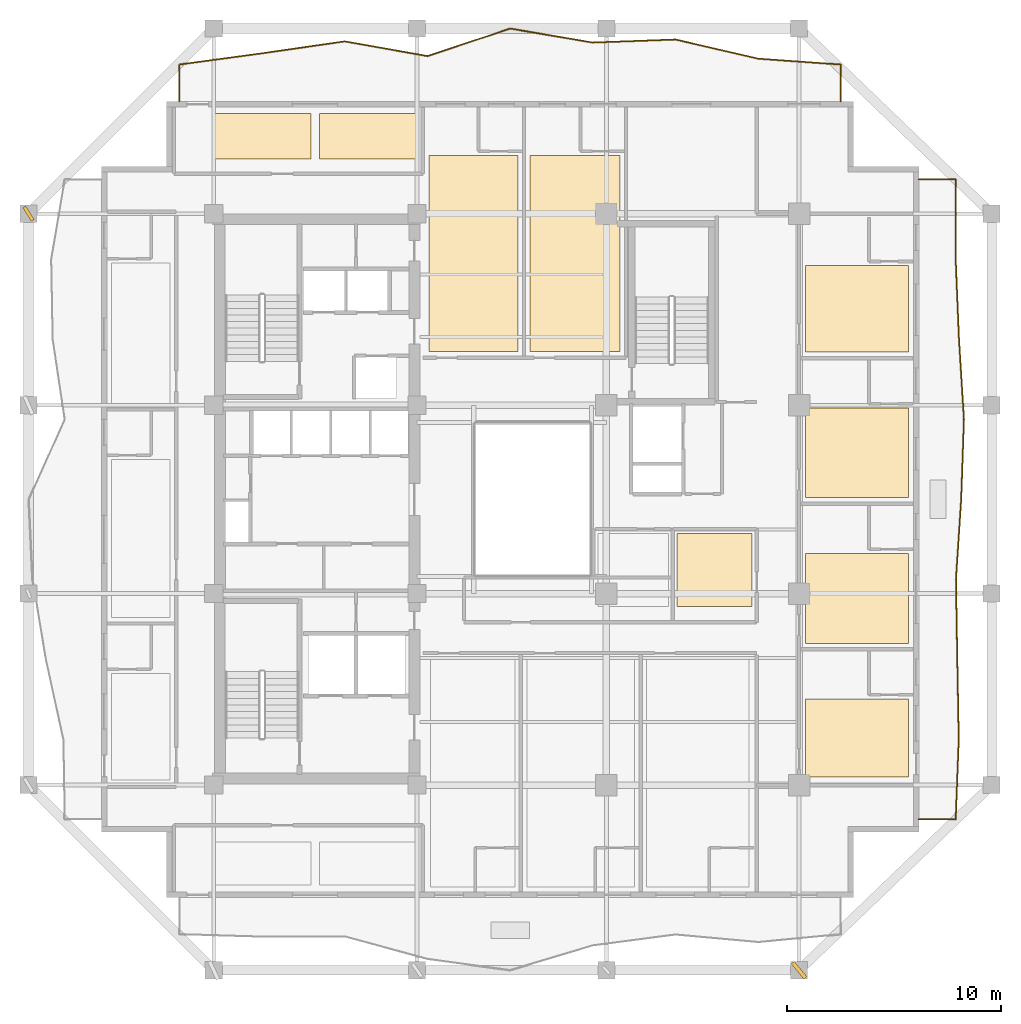
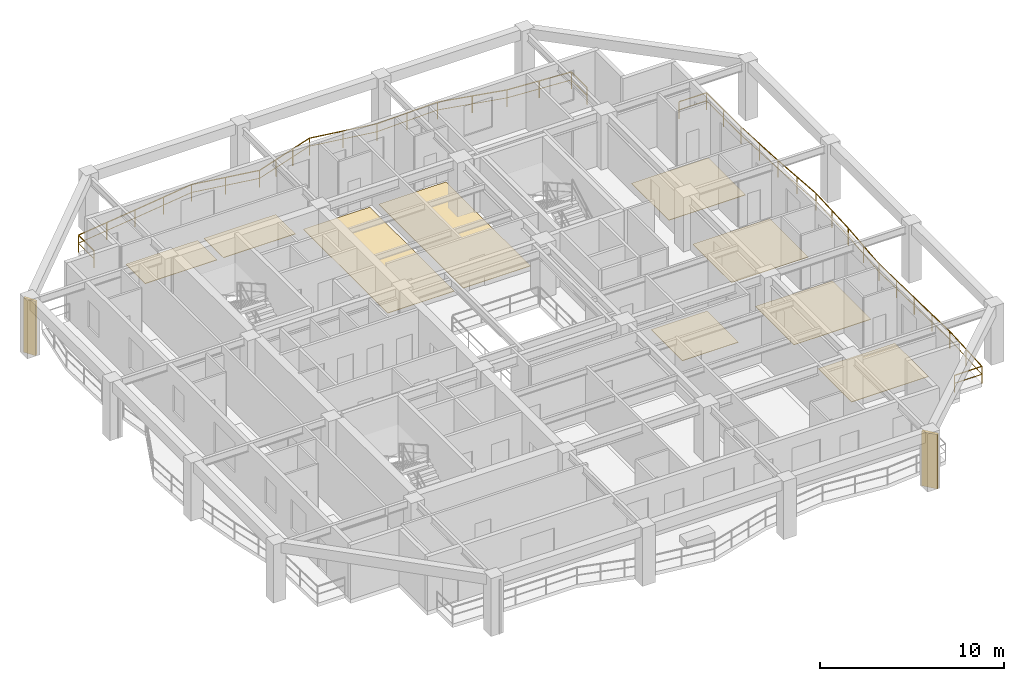
# One storey, part 10 of 11: 9 coverings, 2 railings, 2 shading devices.
"""IFC4 building model written with IfcOpenShell, lengths in metres."""

from ifc_helpers import new_model, si_unit, direction, frame, origin, origin_2d, place, context, subcontext, project, spatial, polyline, rectangle, outline, extrude, material, layer, layer_set, type_object, element, save


model = new_model("IFC4")

# Units and contexts
model_context = context("Model", 3, precision=1e-05, world=origin(), true_north=direction((0.0, 1.0)))
body_context = subcontext(model_context, "Body", "Model", "MODEL_VIEW")
ifc_project = project(units=[si_unit("LENGTHUNIT", "METRE"), si_unit("AREAUNIT", "SQUARE_METRE"), si_unit("VOLUMEUNIT", "CUBIC_METRE"), si_unit("PLANEANGLEUNIT", "RADIAN"), si_unit("MASSUNIT", "GRAM", prefix="KILO")], contexts=[model_context])

# Site, building, storey
site_placement = place(None, origin())
site = spatial("IfcSite", under=ifc_project, at=site_placement, CompositionType="ELEMENT")
building_placement = place(site_placement, origin())
building = spatial("IfcBuilding", under=site, at=building_placement, Name="Kundavana Baori Tower", CompositionType="ELEMENT")
storey_placement = place(building_placement, frame((0.0, 0.0, 130.949951171875)))
storey = spatial("IfcBuildingStorey", under=building, at=storey_placement, Name="L31", CompositionType="ELEMENT", Elevation=130.949951171875)

# Coverings
ifc_material_1 = material(Name="Honed Kota Stone and Terrazzo Flooring", Category="masonry")
ifc_layer = layer(ifc_material_1, 0.030029296875, Name="COV-INT-FLR")
ifc_layer_set = layer_set([ifc_layer], Name="Honed Kota Stone and Terrazzo Flooring")
covering_type = type_object("IfcCoveringType", Name="COV-INT-FLR", PredefinedType="FLOORING", material=ifc_layer_set)
covering_1_placement = place(storey_placement, origin())
element("IfcCovering", 1, at=covering_1_placement, inside=storey, type_object=covering_type, Name="L31 Room Finished Stone Flooring 7", PredefinedType="FLOORING", context=body_context, shape_type="SweptSolid", body=[
    extrude(outline(polyline([(43.10009765625, 15.6298828125), (47.919921875, 15.6298828125), (47.919921875, 19.27001953125), (43.10009765625, 19.27001953125), (43.10009765625, 15.6298828125)])), origin(), (0.0, 0.0, 1.0), 0.030029296875),
])
covering_2_placement = place(storey_placement, origin())
element("IfcCovering", 2, at=covering_2_placement, inside=storey, type_object=covering_type, Name="L31 Room Finished Stone Flooring 8", PredefinedType="FLOORING", context=body_context, shape_type="SweptSolid", body=[
    extrude(outline(polyline([(43.10009765625, 21.8798828125), (47.919921875, 21.8798828125), (47.919921875, 26.070068359375), (43.10009765625, 26.070068359375), (43.10009765625, 21.8798828125)])), origin(), (0.0, 0.0, 1.0), 0.030029296875),
])
covering_3_placement = place(storey_placement, origin())
element("IfcCovering", 3, at=covering_3_placement, inside=storey, type_object=covering_type, Name="L31 Room Finished Stone Flooring 9", PredefinedType="FLOORING", context=body_context, shape_type="SweptSolid", body=[
    extrude(outline(polyline([(43.10009765625, 28.679931640625), (47.919921875, 28.679931640625), (47.919921875, 32.8701171875), (43.10009765625, 32.8701171875), (43.10009765625, 28.679931640625)])), origin(), (0.0, 0.0, 1.0), 0.030029296875),
])
covering_4_placement = place(storey_placement, origin())
element("IfcCovering", 4, at=covering_4_placement, inside=storey, type_object=covering_type, Name="L31 Room Finished Stone Flooring 10", PredefinedType="FLOORING", context=body_context, shape_type="SweptSolid", body=[
    extrude(outline(polyline([(43.10009765625, 35.47998046875), (47.919921875, 35.47998046875), (47.919921875, 39.52001953125), (43.10009765625, 39.52001953125), (43.10009765625, 35.47998046875)])), origin(), (0.0, 0.0, 1.0), 0.030029296875),
])
covering_5_placement = place(storey_placement, origin())
element("IfcCovering", 5, at=covering_5_placement, inside=storey, type_object=covering_type, Name="L31 Room Finished Stone Flooring 11", PredefinedType="FLOORING", context=body_context, shape_type="SweptSolid", body=[
    extrude(outline(polyline([(25.5, 35.5), (29.669921875, 35.5), (29.669921875, 44.669921875), (25.5, 44.669921875), (25.5, 35.5)])), origin(), (0.0, 0.0, 1.0), 0.030029296875),
])
covering_6_placement = place(storey_placement, origin())
element("IfcCovering", 6, at=covering_6_placement, inside=storey, type_object=covering_type, Name="L31 Room Finished Stone Flooring 12", PredefinedType="FLOORING", context=body_context, shape_type="SweptSolid", body=[
    extrude(outline(polyline([(30.22998046875, 35.5), (34.43994140625, 35.5), (34.43994140625, 44.669921875), (30.22998046875, 44.669921875), (30.22998046875, 35.5)])), origin(), (0.0, 0.0, 1.0), 0.030029296875),
])
covering_7_placement = place(storey_placement, origin())
element("IfcCovering", 7, at=covering_7_placement, inside=storey, type_object=covering_type, Name="L31 Room Finished Stone Flooring 15", PredefinedType="FLOORING", context=body_context, shape_type="SweptSolid", body=[
    extrude(outline(polyline([(15.5, 44.5), (20.0, 44.5), (20.0, 46.6201171875), (15.5, 46.6201171875), (15.5, 44.5)])), origin(), (0.0, 0.0, 1.0), 0.030029296875),
])
covering_8_placement = place(storey_placement, origin())
element("IfcCovering", 8, at=covering_8_placement, inside=storey, type_object=covering_type, Name="L31 Room Finished Stone Flooring 16", PredefinedType="FLOORING", context=body_context, shape_type="SweptSolid", body=[
    extrude(outline(polyline([(20.39990234375, 44.5), (24.89990234375, 44.5), (24.89990234375, 46.6201171875), (20.39990234375, 46.6201171875), (20.39990234375, 44.5)])), origin(), (0.0, 0.0, 1.0), 0.030029296875),
])
covering_9_placement = place(storey_placement, origin())
element("IfcCovering", 9, at=covering_9_placement, inside=storey, type_object=covering_type, Name="L31 Room Finished Stone Flooring 18", PredefinedType="FLOORING", context=body_context, shape_type="SweptSolid", body=[
    extrude(outline(polyline([(37.10009765625, 23.60009765625), (40.60009765625, 23.60009765625), (40.60009765625, 27.0), (37.10009765625, 27.0), (37.10009765625, 23.60009765625)])), origin(), (0.0, 0.0, 1.0), 0.030029296875),
])

# Railings
ifc_material_2 = material(Name="Architectural Patinated Bronze Metalwork")
railing_type = type_object("IfcRailingType", Name="RL-BAL-1150", PredefinedType="BALUSTRADE", material=ifc_material_2)
railing_1_placement = place(storey_placement, frame((48.39990234375, 43.550048828125, 0.0)))
element("IfcRailing", 10, at=railing_1_placement, inside=storey, type_object=railing_type, Name="L31 Loggia Balcony Balustrade E", PredefinedType="BALUSTRADE", context=body_context, shape_type="SweptSolid", body=[
    extrude(rectangle(XDim=0.048095703125, YDim=0.048095703125, at=origin_2d()), frame((0.0, 0.0, 1.1259765625), z_axis=(1.0, 0.0, 0.0), x_axis=(0.0, 1.0, 0.0)), (0.0, 0.0, 1.0), 1.72021484375),
    extrude(rectangle(XDim=0.03125, YDim=0.03125, at=origin_2d()), frame((0.0, 0.0, 0.597900390625), z_axis=(1.0, 0.0, 0.0), x_axis=(0.0, 1.0, 0.0)), (0.0, 0.0, 1.0), 1.72021484375),
    extrude(rectangle(XDim=0.048095703125, YDim=0.048095703125, at=origin_2d()), frame((1.72021484375, 0.0, 1.1259765625), z_axis=(0.000261250073, -0.999999965874, 0.0), x_axis=(0.999999965874, 0.000261250073, 0.0)), (0.0, 0.0, 1.0), 3.738037109375),
    extrude(rectangle(XDim=0.03125, YDim=0.03125, at=origin_2d()), frame((1.72021484375, 0.0, 0.597900390625), z_axis=(0.000261250073, -0.999999965874, 0.0), x_axis=(0.999999965874, 0.000261250073, 0.0)), (0.0, 0.0, 1.0), 3.738037109375),
    extrude(rectangle(XDim=0.048095703125, YDim=0.048095703125, at=origin_2d()), frame((1.72119140625, -3.738037109375, 1.1259765625), z_axis=(0.041383476557, -0.999143336998, 0.0), x_axis=(0.999143336998, 0.041383476557, 0.0)), (0.0, 0.0, 1.0), 3.740234375),
    extrude(rectangle(XDim=0.03125, YDim=0.03125, at=origin_2d()), frame((1.72119140625, -3.738037109375, 0.597900390625), z_axis=(0.041383476557, -0.999143336998, 0.0), x_axis=(0.999143336998, 0.041383476557, 0.0)), (0.0, 0.0, 1.0), 3.740234375),
    extrude(rectangle(XDim=0.048095703125, YDim=0.048095703125, at=origin_2d()), frame((1.8759765625, -7.47509765625, 1.1259765625), z_axis=(0.061732988509, -0.998092700169, 0.0), x_axis=(0.998092700169, 0.061732988509, 0.0)), (0.0, 0.0, 1.0), 3.7451171875),
    extrude(rectangle(XDim=0.03125, YDim=0.03125, at=origin_2d()), frame((1.8759765625, -7.47509765625, 0.597900390625), z_axis=(0.061732988509, -0.998092700169, 0.0), x_axis=(0.998092700169, 0.061732988509, 0.0)), (0.0, 0.0, 1.0), 3.7451171875),
    extrude(rectangle(XDim=0.048095703125, YDim=0.048095703125, at=origin_2d()), frame((2.107177734375, -11.213134765625, 1.1259765625), z_axis=(-0.034540986295, -0.999403282097, 0.0), x_axis=(0.999403282097, -0.034540986295, 0.0)), (0.0, 0.0, 1.0), 3.739013671875),
    extrude(rectangle(XDim=0.03125, YDim=0.03125, at=origin_2d()), frame((2.107177734375, -11.213134765625, 0.597900390625), z_axis=(-0.034540986295, -0.999403282097, 0.0), x_axis=(0.999403282097, -0.034540986295, 0.0)), (0.0, 0.0, 1.0), 3.739013671875),
    extrude(rectangle(XDim=0.048095703125, YDim=0.048095703125, at=origin_2d()), frame((1.97802734375, -14.949951171875, 1.1259765625), z_axis=(-0.06536834863, -0.997861202271, 0.0), x_axis=(0.997861202271, -0.06536834863, 0.0)), (0.0, 0.0, 1.0), 3.74609375),
    extrude(rectangle(XDim=0.03125, YDim=0.03125, at=origin_2d()), frame((1.97802734375, -14.949951171875, 0.597900390625), z_axis=(-0.06536834863, -0.997861202271, 0.0), x_axis=(0.997861202271, -0.06536834863, 0.0)), (0.0, 0.0, 1.0), 3.74609375),
    extrude(rectangle(XDim=0.048095703125, YDim=0.048095703125, at=origin_2d()), frame((1.733154296875, -18.68798828125, 1.1259765625), z_axis=(0.016852639963, -0.999857984179, 0.0), x_axis=(0.999857984179, 0.016852639963, 0.0)), (0.0, 0.0, 1.0), 3.737548828125),
    extrude(rectangle(XDim=0.03125, YDim=0.03125, at=origin_2d()), frame((1.733154296875, -18.68798828125, 0.597900390625), z_axis=(0.016852639963, -0.999857984179, 0.0), x_axis=(0.999857984179, 0.016852639963, 0.0)), (0.0, 0.0, 1.0), 3.737548828125),
    extrude(rectangle(XDim=0.048095703125, YDim=0.048095703125, at=origin_2d()), frame((1.796142578125, -22.425048828125, 1.1259765625), z_axis=(0.018415007582, -0.999830429371, 0.0), x_axis=(0.999830429371, 0.018415007582, 0.0)), (0.0, 0.0, 1.0), 3.73876953125),
    extrude(rectangle(XDim=0.03125, YDim=0.03125, at=origin_2d()), frame((1.796142578125, -22.425048828125, 0.597900390625), z_axis=(0.018415007582, -0.999830429371, 0.0), x_axis=(0.999830429371, 0.018415007582, 0.0)), (0.0, 0.0, 1.0), 3.73876953125),
    extrude(rectangle(XDim=0.048095703125, YDim=0.048095703125, at=origin_2d()), frame((1.864990234375, -26.1630859375, 1.1259765625), z_axis=(-0.038711406971, -0.999250432559, 0.0), x_axis=(0.999250432559, -0.038711406971, 0.0)), (0.0, 0.0, 1.0), 3.73974609375),
    extrude(rectangle(XDim=0.03125, YDim=0.03125, at=origin_2d()), frame((1.864990234375, -26.1630859375, 0.597900390625), z_axis=(-0.038711406971, -0.999250432559, 0.0), x_axis=(0.999250432559, -0.038711406971, 0.0)), (0.0, 0.0, 1.0), 3.73974609375),
    extrude(rectangle(XDim=0.048095703125, YDim=0.048095703125, at=origin_2d()), frame((1.72021484375, -29.900146484375, 1.1259765625), z_axis=(-1.0, 0.0, 0.0), x_axis=(0.0, -1.0, 0.0)), (0.0, 0.0, 1.0), 1.72021484375),
    extrude(rectangle(XDim=0.03125, YDim=0.03125, at=origin_2d()), frame((1.72021484375, -29.900146484375, 0.597900390625), z_axis=(-1.0, 0.0, 0.0), x_axis=(0.0, -1.0, 0.0)), (0.0, 0.0, 1.0), 1.72021484375),
    extrude(rectangle(XDim=0.0419921875, YDim=0.0419921875, at=origin_2d()), origin(), (0.0, 0.0, 1.0), 1.101806640625),
    extrude(rectangle(XDim=0.0419921875, YDim=0.0419921875, at=origin_2d()), frame((1.72021484375, 0.0, 0.0)), (0.0, 0.0, 1.0), 1.101806640625),
    extrude(rectangle(XDim=0.0419921875, YDim=0.0419921875, at=origin_2d()), frame((1.720703125, -1.869140625, 0.0)), (0.0, 0.0, 1.0), 1.101806640625),
    extrude(rectangle(XDim=0.0419921875, YDim=0.0419921875, at=origin_2d()), frame((1.72119140625, -3.738037109375, 0.0)), (0.0, 0.0, 1.0), 1.101806640625),
    extrude(rectangle(XDim=0.0419921875, YDim=0.0419921875, at=origin_2d()), frame((1.798583984375, -5.6064453125, 0.0)), (0.0, 0.0, 1.0), 1.101806640625),
    extrude(rectangle(XDim=0.0419921875, YDim=0.0419921875, at=origin_2d()), frame((1.8759765625, -7.47509765625, 0.0)), (0.0, 0.0, 1.0), 1.101806640625),
    extrude(rectangle(XDim=0.0419921875, YDim=0.0419921875, at=origin_2d()), frame((1.99169921875, -9.34423828125, 0.0)), (0.0, 0.0, 1.0), 1.101806640625),
    extrude(rectangle(XDim=0.0419921875, YDim=0.0419921875, at=origin_2d()), frame((2.107177734375, -11.213134765625, 0.0)), (0.0, 0.0, 1.0), 1.101806640625),
    extrude(rectangle(XDim=0.0419921875, YDim=0.0419921875, at=origin_2d()), frame((2.04248046875, -13.08154296875, 0.0)), (0.0, 0.0, 1.0), 1.101806640625),
    extrude(rectangle(XDim=0.0419921875, YDim=0.0419921875, at=origin_2d()), frame((1.97802734375, -14.949951171875, 0.0)), (0.0, 0.0, 1.0), 1.101806640625),
    extrude(rectangle(XDim=0.0419921875, YDim=0.0419921875, at=origin_2d()), frame((1.85546875, -16.81884765625, 0.0)), (0.0, 0.0, 1.0), 1.101806640625),
    extrude(rectangle(XDim=0.0419921875, YDim=0.0419921875, at=origin_2d()), frame((1.733154296875, -18.68798828125, 0.0)), (0.0, 0.0, 1.0), 1.101806640625),
    extrude(rectangle(XDim=0.0419921875, YDim=0.0419921875, at=origin_2d()), frame((1.7646484375, -20.556640625, 0.0)), (0.0, 0.0, 1.0), 1.101806640625),
    extrude(rectangle(XDim=0.0419921875, YDim=0.0419921875, at=origin_2d()), frame((1.796142578125, -22.425048828125, 0.0)), (0.0, 0.0, 1.0), 1.101806640625),
    extrude(rectangle(XDim=0.0419921875, YDim=0.0419921875, at=origin_2d()), frame((1.83056640625, -24.2939453125, 0.0)), (0.0, 0.0, 1.0), 1.101806640625),
    extrude(rectangle(XDim=0.0419921875, YDim=0.0419921875, at=origin_2d()), frame((1.864990234375, -26.1630859375, 0.0)), (0.0, 0.0, 1.0), 1.101806640625),
    extrude(rectangle(XDim=0.0419921875, YDim=0.0419921875, at=origin_2d()), frame((1.79248046875, -28.03173828125, 0.0)), (0.0, 0.0, 1.0), 1.101806640625),
    extrude(rectangle(XDim=0.0419921875, YDim=0.0419921875, at=origin_2d()), frame((1.72021484375, -29.900146484375, 0.0)), (0.0, 0.0, 1.0), 1.101806640625),
    extrude(rectangle(XDim=0.0419921875, YDim=0.0419921875, at=origin_2d()), frame((0.0, -29.900146484375, 0.0)), (0.0, 0.0, 1.0), 1.101806640625),
])
railing_2_placement = place(storey_placement, frame((13.85009765625, 47.199951171875, 0.0)))
element("IfcRailing", 11, at=railing_2_placement, inside=storey, type_object=railing_type, Name="L31 Loggia Balcony Balustrade N", PredefinedType="BALUSTRADE", context=body_context, shape_type="SweptSolid", body=[
    extrude(rectangle(XDim=0.048095703125, YDim=0.048095703125, at=origin_2d()), frame((0.0, 0.0, 1.1259765625), z_axis=(0.0, 1.0, 0.0), x_axis=(-1.0, 0.0, 0.0)), (0.0, 0.0, 1.0), 1.719970703125),
    extrude(rectangle(XDim=0.03125, YDim=0.03125, at=origin_2d()), frame((0.0, 0.0, 0.597900390625), z_axis=(0.0, 1.0, 0.0), x_axis=(-1.0, 0.0, 0.0)), (0.0, 0.0, 1.0), 1.719970703125),
    extrude(rectangle(XDim=0.048095703125, YDim=0.048095703125, at=origin_2d()), frame((0.0, 1.719970703125, 1.1259765625), z_axis=(0.990813389089, 0.13523619339, 0.0), x_axis=(-0.13523619339, 0.990813389089, 0.0)), (0.0, 0.0, 1.0), 3.897705078125),
    extrude(rectangle(XDim=0.03125, YDim=0.03125, at=origin_2d()), frame((0.0, 1.719970703125, 0.597900390625), z_axis=(0.990813389089, 0.13523619339, 0.0), x_axis=(-0.13523619339, 0.990813389089, 0.0)), (0.0, 0.0, 1.0), 3.897705078125),
    extrude(rectangle(XDim=0.048095703125, YDim=0.048095703125, at=origin_2d()), frame((3.86181640625, 2.2470703125, 1.1259765625), z_axis=(0.989803845381, 0.142437170949, 0.0), x_axis=(-0.142437170949, 0.989803845381, 0.0)), (0.0, 0.0, 1.0), 3.90283203125),
    extrude(rectangle(XDim=0.03125, YDim=0.03125, at=origin_2d()), frame((3.86181640625, 2.2470703125, 0.597900390625), z_axis=(0.989803845381, 0.142437170949, 0.0), x_axis=(-0.142437170949, 0.989803845381, 0.0)), (0.0, 0.0, 1.0), 3.90283203125),
    extrude(rectangle(XDim=0.048095703125, YDim=0.048095703125, at=origin_2d()), frame((7.724853515625, 2.802978515625, 1.1259765625), z_axis=(0.984551544632, -0.175094991253, 0.0), x_axis=(0.175094991253, 0.984551544632, 0.0)), (0.0, 0.0, 1.0), 3.923583984375),
    extrude(rectangle(XDim=0.03125, YDim=0.03125, at=origin_2d()), frame((7.724853515625, 2.802978515625, 0.597900390625), z_axis=(0.984551544632, -0.175094991253, 0.0), x_axis=(0.175094991253, 0.984551544632, 0.0)), (0.0, 0.0, 1.0), 3.923583984375),
    extrude(rectangle(XDim=0.048095703125, YDim=0.048095703125, at=origin_2d()), frame((11.587890625, 2.115966796875, 1.1259765625), z_axis=(0.94891698346, 0.315525844427, 0.0), x_axis=(-0.315525844427, 0.94891698346, 0.0)), (0.0, 0.0, 1.0), 4.070068359375),
    extrude(rectangle(XDim=0.03125, YDim=0.03125, at=origin_2d()), frame((11.587890625, 2.115966796875, 0.597900390625), z_axis=(0.94891698346, 0.315525844427, 0.0), x_axis=(-0.315525844427, 0.94891698346, 0.0)), (0.0, 0.0, 1.0), 4.070068359375),
    extrude(rectangle(XDim=0.048095703125, YDim=0.048095703125, at=origin_2d()), frame((15.449951171875, 3.400146484375, 1.1259765625), z_axis=(0.986049886483, -0.166450056677, 0.0), x_axis=(0.166450056677, 0.986049886483, 0.0)), (0.0, 0.0, 1.0), 3.917724609375),
    extrude(rectangle(XDim=0.03125, YDim=0.03125, at=origin_2d()), frame((15.449951171875, 3.400146484375, 0.597900390625), z_axis=(0.986049886483, -0.166450056677, 0.0), x_axis=(0.166450056677, 0.986049886483, 0.0)), (0.0, 0.0, 1.0), 3.917724609375),
    extrude(rectangle(XDim=0.048095703125, YDim=0.048095703125, at=origin_2d()), frame((19.31298828125, 2.748046875, 1.1259765625), z_axis=(0.999314487554, 0.037021007062, 0.0), x_axis=(-0.037021007062, 0.999314487554, 0.0)), (0.0, 0.0, 1.0), 3.864501953125),
    extrude(rectangle(XDim=0.03125, YDim=0.03125, at=origin_2d()), frame((19.31298828125, 2.748046875, 0.597900390625), z_axis=(0.999314487554, 0.037021007062, 0.0), x_axis=(-0.037021007062, 0.999314487554, 0.0)), (0.0, 0.0, 1.0), 3.864501953125),
    extrude(rectangle(XDim=0.048095703125, YDim=0.048095703125, at=origin_2d()), frame((23.1748046875, 2.89111328125, 1.1259765625), z_axis=(0.974073701016, -0.226230910774, 0.0), x_axis=(0.226230910774, 0.974073701016, 0.0)), (0.0, 0.0, 1.0), 3.96484375),
    extrude(rectangle(XDim=0.03125, YDim=0.03125, at=origin_2d()), frame((23.1748046875, 2.89111328125, 0.597900390625), z_axis=(0.974073701016, -0.226230910774, 0.0), x_axis=(0.226230910774, 0.974073701016, 0.0)), (0.0, 0.0, 1.0), 3.96484375),
    extrude(rectangle(XDim=0.048095703125, YDim=0.048095703125, at=origin_2d()), frame((27.036865234375, 1.994140625, 1.1259765625), z_axis=(0.997490917491, -0.070794558576, 0.0), x_axis=(0.070794558576, 0.997490917491, 0.0)), (0.0, 0.0, 1.0), 3.872802734375),
    extrude(rectangle(XDim=0.03125, YDim=0.03125, at=origin_2d()), frame((27.036865234375, 1.994140625, 0.597900390625), z_axis=(0.997490917491, -0.070794558576, 0.0), x_axis=(0.070794558576, 0.997490917491, 0.0)), (0.0, 0.0, 1.0), 3.872802734375),
    extrude(rectangle(XDim=0.048095703125, YDim=0.048095703125, at=origin_2d()), frame((30.89990234375, 1.719970703125, 1.1259765625), z_axis=(0.0, -1.0, 0.0), x_axis=(1.0, 0.0, 0.0)), (0.0, 0.0, 1.0), 1.719970703125),
    extrude(rectangle(XDim=0.03125, YDim=0.03125, at=origin_2d()), frame((30.89990234375, 1.719970703125, 0.597900390625), z_axis=(0.0, -1.0, 0.0), x_axis=(1.0, 0.0, 0.0)), (0.0, 0.0, 1.0), 1.719970703125),
    extrude(rectangle(XDim=0.0419921875, YDim=0.0419921875, at=origin_2d()), origin(), (0.0, 0.0, 1.0), 1.101806640625),
    extrude(rectangle(XDim=0.0419921875, YDim=0.0419921875, at=origin_2d()), frame((0.0, 1.719970703125, 0.0)), (0.0, 0.0, 1.0), 1.101806640625),
    extrude(rectangle(XDim=0.0419921875, YDim=0.0419921875, at=origin_2d()), frame((1.930908203125, 1.9833984375, 0.0)), (0.0, 0.0, 1.0), 1.101806640625),
    extrude(rectangle(XDim=0.0419921875, YDim=0.0419921875, at=origin_2d()), frame((3.86181640625, 2.2470703125, 0.0)), (0.0, 0.0, 1.0), 1.101806640625),
    extrude(rectangle(XDim=0.0419921875, YDim=0.0419921875, at=origin_2d()), frame((5.79345703125, 2.52490234375, 0.0)), (0.0, 0.0, 1.0), 1.101806640625),
    extrude(rectangle(XDim=0.0419921875, YDim=0.0419921875, at=origin_2d()), frame((7.724853515625, 2.802978515625, 0.0)), (0.0, 0.0, 1.0), 1.101806640625),
    extrude(rectangle(XDim=0.0419921875, YDim=0.0419921875, at=origin_2d()), frame((9.65625, 2.45947265625, 0.0)), (0.0, 0.0, 1.0), 1.101806640625),
    extrude(rectangle(XDim=0.0419921875, YDim=0.0419921875, at=origin_2d()), frame((11.587890625, 2.115966796875, 0.0)), (0.0, 0.0, 1.0), 1.101806640625),
    extrude(rectangle(XDim=0.0419921875, YDim=0.0419921875, at=origin_2d()), frame((12.875244140625, 2.5439453125, 0.0)), (0.0, 0.0, 1.0), 1.101806640625),
    extrude(rectangle(XDim=0.0419921875, YDim=0.0419921875, at=origin_2d()), frame((14.16259765625, 2.97216796875, 0.0)), (0.0, 0.0, 1.0), 1.101806640625),
    extrude(rectangle(XDim=0.0419921875, YDim=0.0419921875, at=origin_2d()), frame((15.449951171875, 3.400146484375, 0.0)), (0.0, 0.0, 1.0), 1.101806640625),
    extrude(rectangle(XDim=0.0419921875, YDim=0.0419921875, at=origin_2d()), frame((17.38134765625, 3.07421875, 0.0)), (0.0, 0.0, 1.0), 1.101806640625),
    extrude(rectangle(XDim=0.0419921875, YDim=0.0419921875, at=origin_2d()), frame((19.31298828125, 2.748046875, 0.0)), (0.0, 0.0, 1.0), 1.101806640625),
    extrude(rectangle(XDim=0.0419921875, YDim=0.0419921875, at=origin_2d()), frame((21.243896484375, 2.819580078125, 0.0)), (0.0, 0.0, 1.0), 1.101806640625),
    extrude(rectangle(XDim=0.0419921875, YDim=0.0419921875, at=origin_2d()), frame((23.1748046875, 2.89111328125, 0.0)), (0.0, 0.0, 1.0), 1.101806640625),
    extrude(rectangle(XDim=0.0419921875, YDim=0.0419921875, at=origin_2d()), frame((25.10595703125, 2.442626953125, 0.0)), (0.0, 0.0, 1.0), 1.101806640625),
    extrude(rectangle(XDim=0.0419921875, YDim=0.0419921875, at=origin_2d()), frame((27.036865234375, 1.994140625, 0.0)), (0.0, 0.0, 1.0), 1.101806640625),
    extrude(rectangle(XDim=0.0419921875, YDim=0.0419921875, at=origin_2d()), frame((28.96826171875, 1.85693359375, 0.0)), (0.0, 0.0, 1.0), 1.101806640625),
    extrude(rectangle(XDim=0.0419921875, YDim=0.0419921875, at=origin_2d()), frame((30.89990234375, 1.719970703125, 0.0)), (0.0, 0.0, 1.0), 1.101806640625),
    extrude(rectangle(XDim=0.0419921875, YDim=0.0419921875, at=origin_2d()), frame((30.89990234375, 0.0, 0.0)), (0.0, 0.0, 1.0), 1.101806640625),
])

# Shading devices
ifc_material_3 = material(Name="Red-Buff Dholpur Sandstone Cladding on Concrete C40/50", Category="masonry")
shading_device_type_1 = type_object("IfcShadingDeviceType", Name="SHD-FIN-750", PredefinedType="JALOUSIE", material=ifc_material_3)
shading_device_1_placement = place(storey_placement, frame((6.800048828125, 41.949951171875, 0.0), z_axis=(0.0, 0.0, 1.0), x_axis=(0.848048096156, 0.529919264233, 0.0)))
element("IfcShadingDevice", 12, at=shading_device_1_placement, inside=storey, type_object=shading_device_type_1, Name="L31 Sweeping Dholpur Sandstone Facade Fin 8", PredefinedType="JALOUSIE", context=body_context, shape_type="SweptSolid", body=[
    extrude(rectangle(XDim=0.159912109375, YDim=0.75, at=origin_2d()), origin(), (0.0, 0.0, 1.0), 3.60009765625),
])
ifc_material_4 = material(Name="Red-Buff Dholpur Sandstone Cladding on Concrete C40/50", Category="masonry")
shading_device_type_2 = type_object("IfcShadingDeviceType", Name="SHD-FIN-920", PredefinedType="JALOUSIE", material=ifc_material_4)
shading_device_2_placement = place(storey_placement, frame((42.800048828125, 6.60009765625, 0.0), z_axis=(0.0, 0.0, 1.0), x_axis=(0.770846891561, 0.6370204626, 0.0)))
element("IfcShadingDevice", 13, at=shading_device_2_placement, inside=storey, type_object=shading_device_type_2, Name="L31 Sweeping Dholpur Sandstone Facade Fin 4", PredefinedType="JALOUSIE", context=body_context, shape_type="SweptSolid", body=[
    extrude(rectangle(XDim=0.179931640625, YDim=0.919921875, at=origin_2d()), origin(), (0.0, 0.0, 1.0), 3.60009765625),
])

save(model, "model.ifc")
